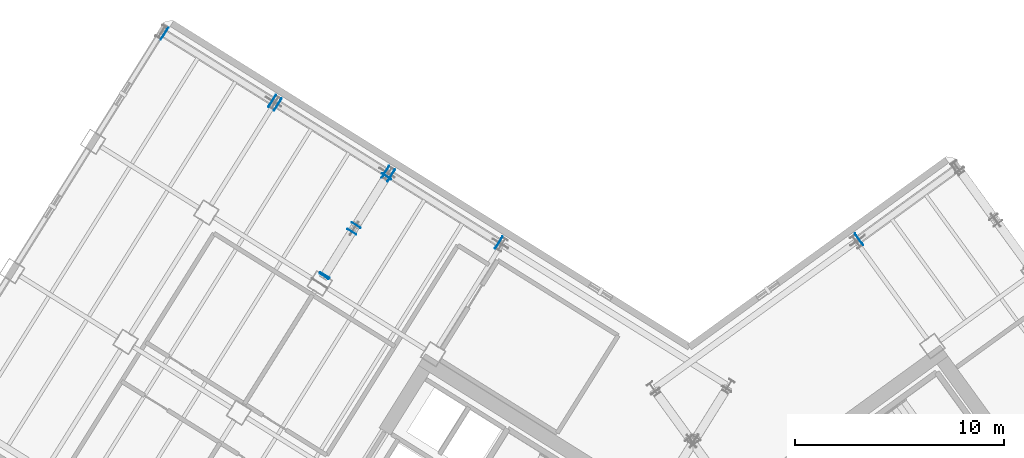
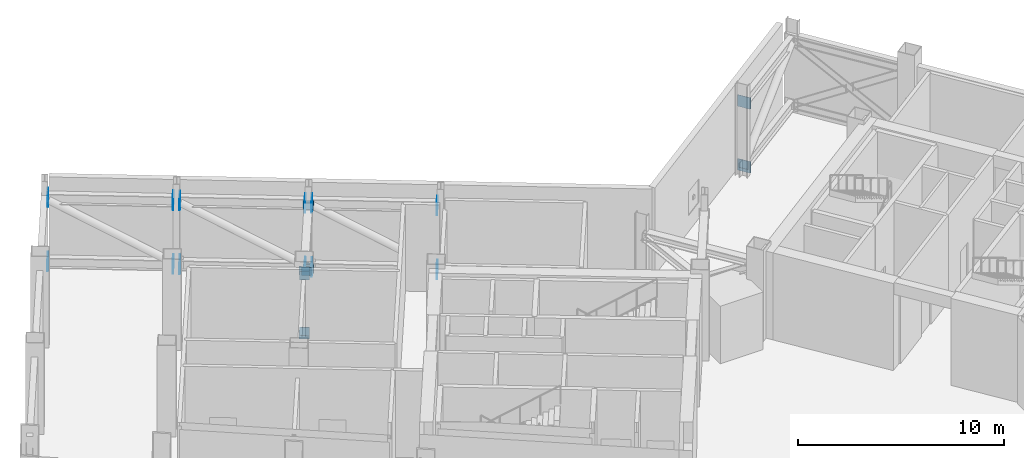
# One storey, part 12 of 21: 31 plates.
"""IFC4 building model written with IfcOpenShell, lengths in metres."""

from ifc_helpers import new_model, si_unit, direction, frame, origin, origin_2d, place, context, subcontext, project, spatial, rectangle, extrude, source, transform, mapped, material, layer, layer_set, type_object, element, save


model = new_model("IFC4")

# Units and contexts
model_context = context("Model", 3, precision=1e-05, world=origin(), true_north=direction((0.0, 1.0)))
body_context = subcontext(model_context, "Body", "Model", "MODEL_VIEW")
ifc_project = project(units=[si_unit("LENGTHUNIT", "METRE"), si_unit("AREAUNIT", "SQUARE_METRE"), si_unit("VOLUMEUNIT", "CUBIC_METRE"), si_unit("PLANEANGLEUNIT", "RADIAN"), si_unit("MASSUNIT", "GRAM", prefix="KILO")], contexts=[model_context])

# Site, building, storey
site_placement = place(None, origin())
site = spatial("IfcSite", under=ifc_project, at=site_placement, CompositionType="ELEMENT")
building_placement = place(site_placement, origin())
building = spatial("IfcBuilding", under=site, at=building_placement, Name="Tlacorven Tower", CompositionType="ELEMENT")
storey_placement = place(building_placement, frame((0.0, 0.0, 84.60009765625)))
storey = spatial("IfcBuildingStorey", under=building, at=storey_placement, Name="L21", CompositionType="ELEMENT", Elevation=84.60009765625)

# Plates
ifc_material = material(Name="Steel S460M", Category="steel")
ifc_layer_1 = layer(ifc_material, 0.02001953125)
ifc_layer_set_1 = layer_set([ifc_layer_1], Name="Steel S460M")
plate_type_1 = type_object("IfcPlateType", Name="PL-CAP-END2", PredefinedType="USERDEFINED", material=ifc_layer_set_1)
shared_shape_1 = source(origin(), body_context, "Body", "SweptSolid", [
    extrude(rectangle(XDim=0.02001953125, YDim=0.514892578125, at=origin_2d()), origin(), (0.0, 0.0, 1.0), 0.514892578125),
])
for number, where, z_axis, x_axis, name in (
    (1, (24.746826171875, 35.037109375, 0.1923828125), (0.0, 0.0, 1.0), (0.529919345966, 0.848048045084, 0.0), "L21 hollow end cap plate OUT-L21-W2-B 1"),
    (2, (27.698486328125, 39.7607421875, 0.1923828125), (0.0, 0.0, 1.0), (0.529919345966, 0.848048045084, 0.0), "L21 hollow end cap plate OUT-L21-W2-B 2"),
    (3, (24.746826171875, 35.037109375, 3.97265625), (0.0, 0.0, 1.0), (0.529919345966, 0.848048045084, 0.0), "L21 hollow end cap plate OUT-L21-W2-T 1"),
    (4, (27.698486328125, 39.7607421875, 3.97265625), (0.0, 0.0, 1.0), (0.529919345966, 0.848048045084, 0.0), "L21 hollow end cap plate OUT-L21-W2-T 2"),
):
    element("IfcPlate", number, at=place(storey_placement, frame(where, z_axis=z_axis, x_axis=x_axis)), inside=storey, type_object=plate_type_1, Name=name, ObjectType="END PLATE", PredefinedType="USERDEFINED", context=body_context, shape_type="MappedRepresentation", body=[
        mapped(shared_shape_1, transform((0.0, 0.0, 0.0), scale=1.0)),
    ])
shared_shape_2 = source(origin(), body_context, "Body", "SweptSolid", [
    extrude(rectangle(XDim=0.02001953125, YDim=0.49609375, at=origin_2d()), origin(), (0.0, 0.0, 1.0), 0.49609375),
])
for number, where, z_axis, x_axis, name in (
    (5, (24.7109375, 34.9794921875, 0.44384765625), (0.0, 0.0, 1.0), (0.529919370432, 0.848048029796, 0.0), "L21 hollow end cap plate OUT-L21-W2-D1 1"),
    (6, (27.711181640625, 39.78125, 3.89599609375), (0.0, 0.0, 1.0), (0.529919370432, 0.848048029796, 0.0), "L21 hollow end cap plate OUT-L21-W2-D1 2"),
    (7, (24.7109375, 34.9794921875, 3.73974609375), (0.0, 0.0, 1.0), (0.529918668276, 0.848048468551, 0.0), "L21 hollow end cap plate OUT-L21-W2-D2A 1"),
    (8, (26.043701171875, 37.112548828125, 2.206298828125), (0.0, 0.0, 1.0), (0.529918668276, 0.848048468551, 0.0), "L21 hollow end cap plate OUT-L21-W2-D2A 2"),
    (9, (26.24267578125, 37.43115234375, 1.977294921875), (0.0, 0.0, 1.0), (0.529920054708, 0.848047602213, 0.0), "L21 hollow end cap plate OUT-L21-W2-D2B 1"),
    (10, (27.711181640625, 39.78125, 0.287841796875), (0.0, 0.0, 1.0), (0.529920054708, 0.848047602213, 0.0), "L21 hollow end cap plate OUT-L21-W2-D2B 2"),
):
    element("IfcPlate", number, at=place(storey_placement, frame(where, z_axis=z_axis, x_axis=x_axis)), inside=storey, type_object=plate_type_1, Name=name, ObjectType="END PLATE", PredefinedType="USERDEFINED", context=body_context, shape_type="MappedRepresentation", body=[
        mapped(shared_shape_2, transform((0.0, 0.0, 0.0), scale=1.0)),
    ])
ifc_layer_2 = layer(ifc_material, 0.02392578125)
ifc_layer_set_2 = layer_set([ifc_layer_2], Name="Steel S460M")
plate_type_2 = type_object("IfcPlateType", Name="PL-CAP-END1", PredefinedType="USERDEFINED", material=ifc_layer_set_2)
shared_shape_3 = source(origin(), body_context, "Body", "SweptSolid", [
    extrude(rectangle(XDim=0.02392578125, YDim=0.679931640625, at=origin_2d()), origin(), (0.0, 0.0, 1.0), 0.679931640625),
])
for number, where, z_axis, x_axis, name in (
    (11, (33.073486328125, 36.5966796875, 0.10986328125), (0.0, 0.0, 1.0), (-0.8480481679, 0.52991914942, 0.0), "L21 hollow end cap plate BLT-L21-W1-B 1"),
    (12, (27.92578125, 39.813232421875, 0.10986328125), (0.0, 0.0, 1.0), (-0.8480481679, 0.52991914942, 0.0), "L21 hollow end cap plate BLT-L21-W1-B 2"),
    (13, (33.073486328125, 36.5966796875, 3.89013671875), (0.0, 0.0, 1.0), (-0.8480481679, 0.52991914942, 0.0), "L21 hollow end cap plate BLT-L21-W1-T 1"),
    (14, (27.92578125, 39.813232421875, 3.89013671875), (0.0, 0.0, 1.0), (-0.8480481679, 0.52991914942, 0.0), "L21 hollow end cap plate BLT-L21-W1-T 2"),
    (15, (27.64599609375, 39.98828125, 0.10986328125), (0.0, 0.0, 1.0), (-0.8480481679, 0.52991914942, 0.0), "L21 hollow end cap plate BLT-L21-W2-B 1"),
    (16, (22.498291015625, 43.204833984375, 0.10986328125), (0.0, 0.0, 1.0), (-0.8480481679, 0.52991914942, 0.0), "L21 hollow end cap plate BLT-L21-W2-B 2"),
    (17, (27.64599609375, 39.98828125, 3.89013671875), (0.0, 0.0, 1.0), (-0.8480481679, 0.52991914942, 0.0), "L21 hollow end cap plate BLT-L21-W2-T 1"),
    (18, (22.498291015625, 43.204833984375, 3.89013671875), (0.0, 0.0, 1.0), (-0.8480481679, 0.52991914942, 0.0), "L21 hollow end cap plate BLT-L21-W2-T 2"),
    (19, (22.218505859375, 43.379638671875, 0.10986328125), (0.0, 0.0, 1.0), (-0.8480481679, 0.52991914942, 0.0), "L21 hollow end cap plate BLT-L21-W3-B 1"),
    (20, (17.07080078125, 46.59619140625, 0.10986328125), (0.0, 0.0, 1.0), (-0.8480481679, 0.52991914942, 0.0), "L21 hollow end cap plate BLT-L21-W3-B 2"),
    (21, (22.218505859375, 43.379638671875, 3.89013671875), (0.0, 0.0, 1.0), (-0.8480481679, 0.52991914942, 0.0), "L21 hollow end cap plate BLT-L21-W3-T 1"),
    (22, (17.07080078125, 46.59619140625, 3.89013671875), (0.0, 0.0, 1.0), (-0.8480481679, 0.52991914942, 0.0), "L21 hollow end cap plate BLT-L21-W3-T 2"),
    (23, (50.3212890625, 36.75146484375, 0.10986328125), (0.0, 0.0, 1.0), (0.80901700447, 0.587785238398, 0.0), "L21 hollow end cap plate BLT-L21-E1-B 1"),
    (24, (50.3212890625, 36.75146484375, 3.89013671875), (0.0, 0.0, 1.0), (0.80901700447, 0.587785238398, 0.0), "L21 hollow end cap plate BLT-L21-E1-T 1"),
):
    element("IfcPlate", number, at=place(storey_placement, frame(where, z_axis=z_axis, x_axis=x_axis)), inside=storey, type_object=plate_type_2, Name=name, ObjectType="END PLATE", PredefinedType="USERDEFINED", context=body_context, shape_type="MappedRepresentation", body=[
        mapped(shared_shape_3, transform((0.0, 0.0, 0.0), scale=1.0)),
    ])
shared_shape_4 = source(origin(), body_context, "Body", "SweptSolid", [
    extrude(rectangle(XDim=0.02392578125, YDim=0.486328125, at=origin_2d()), origin(), (0.0, 0.0, 1.0), 0.486328125),
])
for number, where, z_axis, x_axis, name in (
    (25, (33.078369140625, 36.59375, 0.30078125), (0.0, 0.0, 1.0), (-0.848048018873, 0.529919387912, 0.0), "L21 hollow end cap plate BLT-L21-W1-D1 1"),
    (26, (27.9208984375, 39.81640625, 3.892578125), (0.0, 0.0, 1.0), (-0.848048018873, 0.529919387912, 0.0), "L21 hollow end cap plate BLT-L21-W1-D1 2"),
    (27, (27.65087890625, 39.985107421875, 0.30078125), (0.0, 0.0, 1.0), (-0.848048018873, 0.529919387912, 0.0), "L21 hollow end cap plate BLT-L21-W2-D1 1"),
    (28, (22.493408203125, 43.207763671875, 3.892578125), (0.0, 0.0, 1.0), (-0.848048018873, 0.529919387912, 0.0), "L21 hollow end cap plate BLT-L21-W2-D1 2"),
    (29, (22.223388671875, 43.376708984375, 0.30078125), (0.0, 0.0, 1.0), (-0.848048018873, 0.529919387912, 0.0), "L21 hollow end cap plate BLT-L21-W3-D1 1"),
    (30, (17.06591796875, 46.599365234375, 3.892578125), (0.0, 0.0, 1.0), (-0.848048018873, 0.529919387912, 0.0), "L21 hollow end cap plate BLT-L21-W3-D1 2"),
    (31, (50.314208984375, 36.746337890625, 0.305419921875), (0.0, 0.0, 1.0), (0.809016912294, 0.587785365267, 0.0), "L21 hollow end cap plate BLT-L21-E1-D1 1"),
):
    element("IfcPlate", number, at=place(storey_placement, frame(where, z_axis=z_axis, x_axis=x_axis)), inside=storey, type_object=plate_type_2, Name=name, ObjectType="END PLATE", PredefinedType="USERDEFINED", context=body_context, shape_type="MappedRepresentation", body=[
        mapped(shared_shape_4, transform((0.0, 0.0, 0.0), scale=1.0)),
    ])

save(model, "model.ifc")
